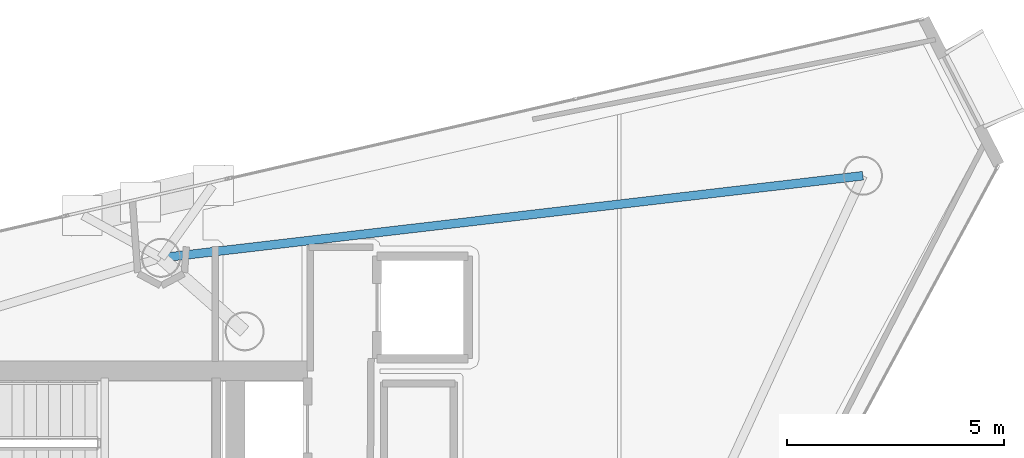
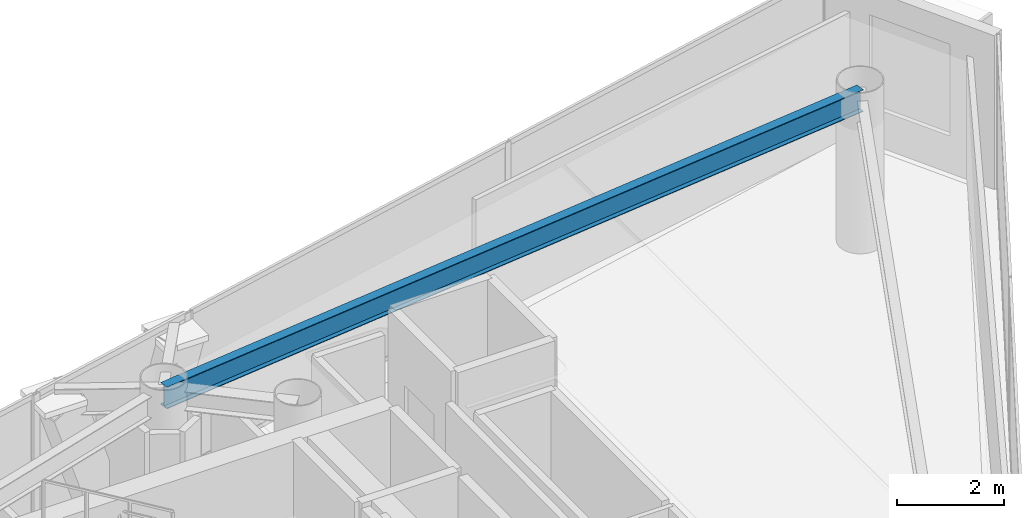
# One storey, part 16 of 24: 1 beam.
"""IFC4 building model written with IfcOpenShell, lengths in metres."""

from ifc_helpers import new_model, si_unit, direction, frame, origin, origin_2d, place, context, subcontext, project, spatial, i_section, extrude, material, material_profile, profile_set, type_object, element, save


model = new_model("IFC4")

# Units and contexts
model_context = context("Model", 3, precision=1e-05, world=origin(), true_north=direction((0.0, 1.0)))
body_context = subcontext(model_context, "Body", "Model", "MODEL_VIEW")
ifc_project = project(units=[si_unit("LENGTHUNIT", "METRE"), si_unit("AREAUNIT", "SQUARE_METRE"), si_unit("VOLUMEUNIT", "CUBIC_METRE"), si_unit("PLANEANGLEUNIT", "RADIAN"), si_unit("MASSUNIT", "GRAM", prefix="KILO")], contexts=[model_context])

# Site, building, storey
site_placement = place(None, origin())
site = spatial("IfcSite", under=ifc_project, at=site_placement, CompositionType="ELEMENT")
building_placement = place(site_placement, origin())
building = spatial("IfcBuilding", under=site, at=building_placement, Name="Qianvela Tower", CompositionType="ELEMENT")
storey_placement = place(building_placement, frame((0.0, 0.0, 306.5)))
storey = spatial("IfcBuildingStorey", under=building, at=storey_placement, Name="L79", CompositionType="ELEMENT", Elevation=306.5)

# Beam
ifc_material = material(Name="Steel Q355B", Category="steel")
ifc_material_profile = material_profile(ifc_material, i_section(OverallWidth=0.199951171875, OverallDepth=0.5, WebThickness=0.010009765625, FlangeThickness=0.01611328125, at=origin_2d()), Name="HN500x200x10x16")
ifc_profile_set = profile_set([ifc_material_profile], Name="Steel Q355B")
beam_type = type_object("IfcBeamType", Name="BM-HN500-GIRD", PredefinedType="BEAM", material=ifc_profile_set)
beam_placement = place(storey_placement, frame((52.64794921875, 37.135009765625, 3.26806640625), z_axis=(-0.993225117092, -0.116206139153, 0.0), x_axis=(0.116206139153, -0.993225117092, 0.0)))
element("IfcBeam", 1, at=beam_placement, inside=storey, type_object=beam_type, Name="L79 Perimeter Ring Spandrel Girder 1", PredefinedType="BEAM", context=body_context, shape_type="SweptSolid", body=[
    extrude(i_section(OverallWidth=0.199951171875, OverallDepth=0.5, WebThickness=0.010009765625, FlangeThickness=0.01611328125, at=origin_2d()), origin(), (0.0, 0.0, 1.0), 16.2822265625),
])

save(model, "model.ifc")
